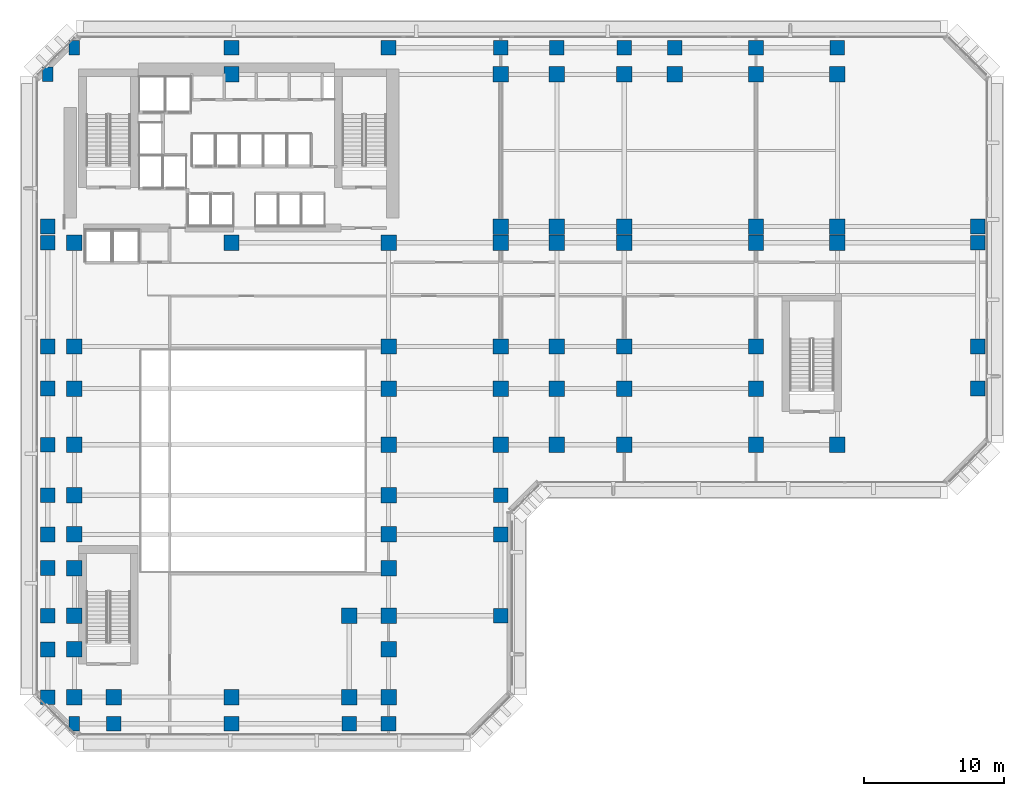
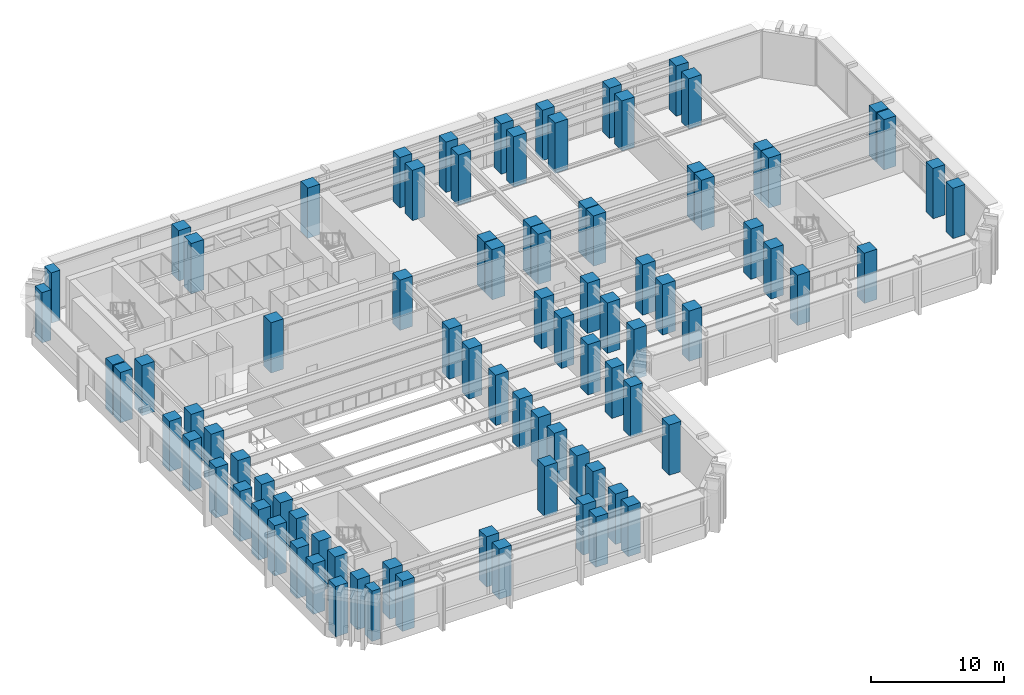
# One storey, part 1 of 16: 88 columns.
"""IFC4 building model written with IfcOpenShell, lengths in metres."""

from ifc_helpers import new_model, si_unit, direction, frame, origin, origin_2d, place, context, subcontext, project, spatial, rectangle, extrude, material, material_profile, profile_set, type_object, element, save


model = new_model("IFC4")

# Units and contexts
model_context = context("Model", 3, precision=1e-05, world=origin(), true_north=direction((0.0, 1.0)))
body_context = subcontext(model_context, "Body", "Model", "MODEL_VIEW")
ifc_project = project(units=[si_unit("LENGTHUNIT", "METRE"), si_unit("AREAUNIT", "SQUARE_METRE"), si_unit("VOLUMEUNIT", "CUBIC_METRE"), si_unit("PLANEANGLEUNIT", "RADIAN"), si_unit("MASSUNIT", "GRAM", prefix="KILO")], contexts=[model_context])

# Site, building, storey
site_placement = place(None, origin())
site = spatial("IfcSite", under=ifc_project, at=site_placement, CompositionType="ELEMENT")
building_placement = place(site_placement, origin())
building = spatial("IfcBuilding", under=site, at=building_placement, Name="Kefirva Bronze Tower", CompositionType="ELEMENT")
storey_placement = place(building_placement, frame((0.0, 0.0, 16.5)))
storey = spatial("IfcBuildingStorey", under=building, at=storey_placement, Name="L03", CompositionType="ELEMENT", Elevation=16.5)

# Columns
ifc_material = material(Name="Concrete C60/75", Category="concrete")
ifc_material_profile_1 = material_profile(ifc_material, rectangle(XDim=1.050048828125, YDim=1.050048828125, at=origin_2d()), Name="RC 1050x1050")
ifc_profile_set_1 = profile_set([ifc_material_profile_1], Name="Concrete C60/75")
column_type_1 = type_object("IfcColumnType", Name="RC Column 1050x1050 Ext", PredefinedType="COLUMN", material=ifc_profile_set_1)
for number, where, z_axis, x_axis, name in (
    (1, (-1.10009765625, 0.800048828125, 0.0), (0.0, 0.0, 1.0), (1.0, 0.0, 0.0), "L03 Column C-11_008"),
    (2, (-1.10009765625, 4.199951171875, 0.0), (0.0, 0.0, 1.0), (1.0, 0.0, 0.0), "L03 Column C-11_042"),
    (3, (-1.10009765625, 6.60009765625, 0.0), (0.0, 0.0, 1.0), (1.0, 0.0, 0.0), "L03 Column C-11_066"),
    (4, (-1.10009765625, 10.0, 0.0), (0.0, 0.0, 1.0), (1.0, 0.0, 0.0), "L03 Column C-11_100"),
    (5, (-1.10009765625, 12.39990234375, 0.0), (0.0, 0.0, 1.0), (1.0, 0.0, 0.0), "L03 Column C-11_124"),
    (6, (-1.10009765625, 15.199951171875, 0.0), (0.0, 0.0, 1.0), (1.0, 0.0, 0.0), "L03 Column C-11_152"),
    (7, (-1.10009765625, 18.800048828125, 0.0), (0.0, 0.0, 1.0), (1.0, 0.0, 0.0), "L03 Column C-11_188"),
    (8, (-1.10009765625, 22.800048828125, 0.0), (0.0, 0.0, 1.0), (1.0, 0.0, 0.0), "L03 Column C-11_228"),
    (9, (-1.10009765625, 25.800048828125, 0.0), (0.0, 0.0, 1.0), (1.0, 0.0, 0.0), "L03 Column C-11_258"),
    (10, (-1.10009765625, 33.199951171875, 0.0), (0.0, 0.0, 1.0), (1.0, 0.0, 0.0), "L03 Column C-11_332"),
    (11, (-1.10009765625, 34.35009765625, 0.0), (0.0, 0.0, 1.0), (1.0, 0.0, 0.0), "L03 Column C-11_344"),
    (12, (3.60009765625, -1.10009765625, 0.0), (0.0, 0.0, 1.0), (1.0, 0.0, 0.0), "L03 Column C036_-11"),
    (13, (12.0, -1.10009765625, 0.0), (0.0, 0.0, 1.0), (1.0, 0.0, 0.0), "L03 Column C120_-11"),
    (14, (12.0, 47.10009765625, 0.0), (0.0, 0.0, 1.0), (1.0, 0.0, 0.0), "L03 Column C120_471"),
    (15, (20.39990234375, -1.10009765625, 0.0), (0.0, 0.0, 1.0), (1.0, 0.0, 0.0), "L03 Column C204_-11"),
    (16, (23.199951171875, -1.10009765625, 0.0), (0.0, 0.0, 1.0), (1.0, 0.0, 0.0), "L03 Column C232_-11"),
    (17, (23.199951171875, 47.10009765625, 0.0), (0.0, 0.0, 1.0), (1.0, 0.0, 0.0), "L03 Column C232_471"),
    (18, (31.199951171875, 6.60009765625, 0.0), (0.0, 0.0, 1.0), (1.0, 0.0, 0.0), "L03 Column C312_066"),
    (19, (31.199951171875, 12.39990234375, 0.0), (0.0, 0.0, 1.0), (1.0, 0.0, 0.0), "L03 Column C312_124"),
    (20, (31.199951171875, 15.199951171875, 0.0), (0.0, 0.0, 1.0), (1.0, 0.0, 0.0), "L03 Column C312_152"),
    (21, (31.199951171875, 47.10009765625, 0.0), (0.0, 0.0, 1.0), (1.0, 0.0, 0.0), "L03 Column C312_471"),
    (22, (35.199951171875, 47.10009765625, 0.0), (0.0, 0.0, 1.0), (1.0, 0.0, 0.0), "L03 Column C352_471"),
    (23, (40.0, 47.10009765625, 0.0), (0.0, 0.0, 1.0), (1.0, 0.0, 0.0), "L03 Column C400_471"),
    (24, (43.60009765625, 47.10009765625, 0.0), (0.0, 0.0, 1.0), (1.0, 0.0, 0.0), "L03 Column C436_471"),
    (25, (49.39990234375, 47.10009765625, 0.0), (0.0, 0.0, 1.0), (1.0, 0.0, 0.0), "L03 Column C494_471"),
    (26, (55.199951171875, 47.10009765625, 0.0), (0.0, 0.0, 1.0), (1.0, 0.0, 0.0), "L03 Column C552_471"),
    (27, (65.199951171875, 22.800048828125, 0.0), (0.0, 0.0, 1.0), (1.0, 0.0, 0.0), "L03 Column C652_228"),
    (28, (65.199951171875, 25.800048828125, 0.0), (0.0, 0.0, 1.0), (1.0, 0.0, 0.0), "L03 Column C652_258"),
    (29, (65.199951171875, 33.199951171875, 0.0), (0.0, 0.0, 1.0), (1.0, 0.0, 0.0), "L03 Column C652_332"),
    (30, (65.199951171875, 34.35009765625, 0.0), (0.0, 0.0, 1.0), (1.0, 0.0, 0.0), "L03 Column C652_344"),
):
    element("IfcColumn", number, at=place(storey_placement, frame(where, z_axis=z_axis, x_axis=x_axis)), inside=storey, type_object=column_type_1, Name=name, PredefinedType="COLUMN", context=body_context, shape_type="SweptSolid", body=[
        extrude(rectangle(XDim=1.050048828125, YDim=1.050048828125, at=origin_2d()), origin(), (0.0, 0.0, 1.0), 4.6201171875),
    ])
ifc_material_profile_2 = material_profile(ifc_material, rectangle(XDim=1.10009765625, YDim=1.10009765625, at=origin_2d()), Name="RC 1100x1100")
ifc_profile_set_2 = profile_set([ifc_material_profile_2], Name="Concrete C60/75")
column_type_2 = type_object("IfcColumnType", Name="RC Column 1100x1100 Int", PredefinedType="COLUMN", material=ifc_profile_set_2)
for number, where, z_axis, x_axis, name in (
    (31, (0.800048828125, 0.800048828125, 0.0), (0.0, 0.0, 1.0), (1.0, 0.0, 0.0), "L03 Column C008_008"),
    (32, (0.800048828125, 4.199951171875, 0.0), (0.0, 0.0, 1.0), (1.0, 0.0, 0.0), "L03 Column C008_042"),
    (33, (0.800048828125, 6.60009765625, 0.0), (0.0, 0.0, 1.0), (1.0, 0.0, 0.0), "L03 Column C008_066"),
    (34, (0.800048828125, 10.0, 0.0), (0.0, 0.0, 1.0), (1.0, 0.0, 0.0), "L03 Column C008_100"),
    (35, (0.800048828125, 12.39990234375, 0.0), (0.0, 0.0, 1.0), (1.0, 0.0, 0.0), "L03 Column C008_124"),
    (36, (0.800048828125, 15.199951171875, 0.0), (0.0, 0.0, 1.0), (1.0, 0.0, 0.0), "L03 Column C008_152"),
    (37, (0.800048828125, 18.800048828125, 0.0), (0.0, 0.0, 1.0), (1.0, 0.0, 0.0), "L03 Column C008_188"),
    (38, (0.800048828125, 22.800048828125, 0.0), (0.0, 0.0, 1.0), (1.0, 0.0, 0.0), "L03 Column C008_228"),
    (39, (0.800048828125, 25.800048828125, 0.0), (0.0, 0.0, 1.0), (1.0, 0.0, 0.0), "L03 Column C008_258"),
    (40, (0.800048828125, 33.199951171875, 0.0), (0.0, 0.0, 1.0), (1.0, 0.0, 0.0), "L03 Column C008_332"),
    (41, (3.60009765625, 0.800048828125, 0.0), (0.0, 0.0, 1.0), (1.0, 0.0, 0.0), "L03 Column C036_008"),
    (42, (12.0, 0.800048828125, 0.0), (0.0, 0.0, 1.0), (1.0, 0.0, 0.0), "L03 Column C120_008"),
    (43, (12.0, 33.199951171875, 0.0), (0.0, 0.0, 1.0), (1.0, 0.0, 0.0), "L03 Column C120_332"),
    (44, (12.0, 45.199951171875, 0.0), (0.0, 0.0, 1.0), (1.0, 0.0, 0.0), "L03 Column C120_452"),
    (45, (20.39990234375, 0.800048828125, 0.0), (0.0, 0.0, 1.0), (1.0, 0.0, 0.0), "L03 Column C204_008"),
    (46, (20.39990234375, 6.60009765625, 0.0), (0.0, 0.0, 1.0), (1.0, 0.0, 0.0), "L03 Column C204_066"),
    (47, (23.199951171875, 0.800048828125, 0.0), (0.0, 0.0, 1.0), (1.0, 0.0, 0.0), "L03 Column C232_008"),
    (48, (23.199951171875, 4.199951171875, 0.0), (0.0, 0.0, 1.0), (1.0, 0.0, 0.0), "L03 Column C232_042"),
    (49, (23.199951171875, 6.60009765625, 0.0), (0.0, 0.0, 1.0), (1.0, 0.0, 0.0), "L03 Column C232_066"),
    (50, (23.199951171875, 10.0, 0.0), (0.0, 0.0, 1.0), (1.0, 0.0, 0.0), "L03 Column C232_100"),
    (51, (23.199951171875, 12.39990234375, 0.0), (0.0, 0.0, 1.0), (1.0, 0.0, 0.0), "L03 Column C232_124"),
    (52, (23.199951171875, 15.199951171875, 0.0), (0.0, 0.0, 1.0), (1.0, 0.0, 0.0), "L03 Column C232_152"),
    (53, (23.199951171875, 18.800048828125, 0.0), (0.0, 0.0, 1.0), (1.0, 0.0, 0.0), "L03 Column C232_188"),
    (54, (23.199951171875, 22.800048828125, 0.0), (0.0, 0.0, 1.0), (1.0, 0.0, 0.0), "L03 Column C232_228"),
    (55, (23.199951171875, 25.800048828125, 0.0), (0.0, 0.0, 1.0), (1.0, 0.0, 0.0), "L03 Column C232_258"),
    (56, (23.199951171875, 33.199951171875, 0.0), (0.0, 0.0, 1.0), (1.0, 0.0, 0.0), "L03 Column C232_332"),
    (57, (31.199951171875, 18.800048828125, 0.0), (0.0, 0.0, 1.0), (1.0, 0.0, 0.0), "L03 Column C312_188"),
    (58, (31.199951171875, 22.800048828125, 0.0), (0.0, 0.0, 1.0), (1.0, 0.0, 0.0), "L03 Column C312_228"),
    (59, (31.199951171875, 25.800048828125, 0.0), (0.0, 0.0, 1.0), (1.0, 0.0, 0.0), "L03 Column C312_258"),
    (60, (31.199951171875, 33.199951171875, 0.0), (0.0, 0.0, 1.0), (1.0, 0.0, 0.0), "L03 Column C312_332"),
    (61, (31.199951171875, 34.35009765625, 0.0), (0.0, 0.0, 1.0), (1.0, 0.0, 0.0), "L03 Column C312_344"),
    (62, (31.199951171875, 45.199951171875, 0.0), (0.0, 0.0, 1.0), (1.0, 0.0, 0.0), "L03 Column C312_452"),
    (63, (35.199951171875, 18.800048828125, 0.0), (0.0, 0.0, 1.0), (1.0, 0.0, 0.0), "L03 Column C352_188"),
    (64, (35.199951171875, 22.800048828125, 0.0), (0.0, 0.0, 1.0), (1.0, 0.0, 0.0), "L03 Column C352_228"),
    (65, (35.199951171875, 25.800048828125, 0.0), (0.0, 0.0, 1.0), (1.0, 0.0, 0.0), "L03 Column C352_258"),
    (66, (35.199951171875, 33.199951171875, 0.0), (0.0, 0.0, 1.0), (1.0, 0.0, 0.0), "L03 Column C352_332"),
    (67, (35.199951171875, 34.35009765625, 0.0), (0.0, 0.0, 1.0), (1.0, 0.0, 0.0), "L03 Column C352_344"),
    (68, (35.199951171875, 45.199951171875, 0.0), (0.0, 0.0, 1.0), (1.0, 0.0, 0.0), "L03 Column C352_452"),
    (69, (40.0, 18.800048828125, 0.0), (0.0, 0.0, 1.0), (1.0, 0.0, 0.0), "L03 Column C400_188"),
    (70, (40.0, 22.800048828125, 0.0), (0.0, 0.0, 1.0), (1.0, 0.0, 0.0), "L03 Column C400_228"),
    (71, (40.0, 25.800048828125, 0.0), (0.0, 0.0, 1.0), (1.0, 0.0, 0.0), "L03 Column C400_258"),
    (72, (40.0, 33.199951171875, 0.0), (0.0, 0.0, 1.0), (1.0, 0.0, 0.0), "L03 Column C400_332"),
    (73, (40.0, 34.35009765625, 0.0), (0.0, 0.0, 1.0), (1.0, 0.0, 0.0), "L03 Column C400_344"),
    (74, (40.0, 45.199951171875, 0.0), (0.0, 0.0, 1.0), (1.0, 0.0, 0.0), "L03 Column C400_452"),
    (75, (43.60009765625, 45.199951171875, 0.0), (0.0, 0.0, 1.0), (1.0, 0.0, 0.0), "L03 Column C436_452"),
    (76, (49.39990234375, 18.800048828125, 0.0), (0.0, 0.0, 1.0), (1.0, 0.0, 0.0), "L03 Column C494_188"),
    (77, (49.39990234375, 22.800048828125, 0.0), (0.0, 0.0, 1.0), (1.0, 0.0, 0.0), "L03 Column C494_228"),
    (78, (49.39990234375, 25.800048828125, 0.0), (0.0, 0.0, 1.0), (1.0, 0.0, 0.0), "L03 Column C494_258"),
    (79, (49.39990234375, 33.199951171875, 0.0), (0.0, 0.0, 1.0), (1.0, 0.0, 0.0), "L03 Column C494_332"),
    (80, (49.39990234375, 34.35009765625, 0.0), (0.0, 0.0, 1.0), (1.0, 0.0, 0.0), "L03 Column C494_344"),
    (81, (49.39990234375, 45.199951171875, 0.0), (0.0, 0.0, 1.0), (1.0, 0.0, 0.0), "L03 Column C494_452"),
    (82, (55.199951171875, 18.800048828125, 0.0), (0.0, 0.0, 1.0), (1.0, 0.0, 0.0), "L03 Column C552_188"),
    (83, (55.199951171875, 33.199951171875, 0.0), (0.0, 0.0, 1.0), (1.0, 0.0, 0.0), "L03 Column C552_332"),
    (84, (55.199951171875, 34.35009765625, 0.0), (0.0, 0.0, 1.0), (1.0, 0.0, 0.0), "L03 Column C552_344"),
    (85, (55.199951171875, 45.199951171875, 0.0), (0.0, 0.0, 1.0), (1.0, 0.0, 0.0), "L03 Column C552_452"),
):
    element("IfcColumn", number, at=place(storey_placement, frame(where, z_axis=z_axis, x_axis=x_axis)), inside=storey, type_object=column_type_2, Name=name, PredefinedType="COLUMN", context=body_context, shape_type="SweptSolid", body=[
        extrude(rectangle(XDim=1.10009765625, YDim=1.10009765625, at=origin_2d()), origin(), (0.0, 0.0, 1.0), 4.6201171875),
    ])
ifc_material_profile_3 = material_profile(ifc_material, rectangle(XDim=0.760009765625, YDim=1.0400390625, at=origin_2d()), Name="RC 760x1040")
ifc_profile_set_3 = profile_set([ifc_material_profile_3], Name="Concrete C60/75")
column_type_3 = type_object("IfcColumnType", Name="RC Corner Buttress Pilaster 1040x760", PredefinedType="PILASTER", material=ifc_profile_set_3)
for number, where, z_axis, x_axis, name in (
    (86, (-1.10009765625, 45.199951171875, 0.0), (0.0, 0.0, 1.0), (1.0, 0.0, 0.0), "L03 Column C-11_452"),
    (87, (0.800048828125, -1.10009765625, 0.0), (0.0, 0.0, 1.0), (1.0, 0.0, 0.0), "L03 Column C008_-11"),
    (88, (0.800048828125, 47.10009765625, 0.0), (0.0, 0.0, 1.0), (1.0, 0.0, 0.0), "L03 Column C008_471"),
):
    element("IfcColumn", number, at=place(storey_placement, frame(where, z_axis=z_axis, x_axis=x_axis)), inside=storey, type_object=column_type_3, Name=name, PredefinedType="PILASTER", context=body_context, shape_type="SweptSolid", body=[
        extrude(rectangle(XDim=0.760009765625, YDim=1.0400390625, at=origin_2d()), origin(), (0.0, 0.0, 1.0), 4.6201171875),
    ])

save(model, "model.ifc")
